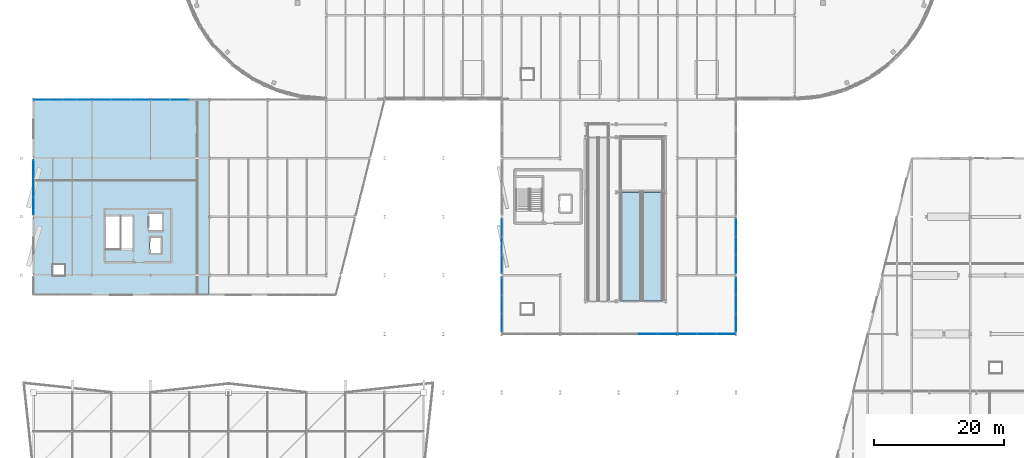
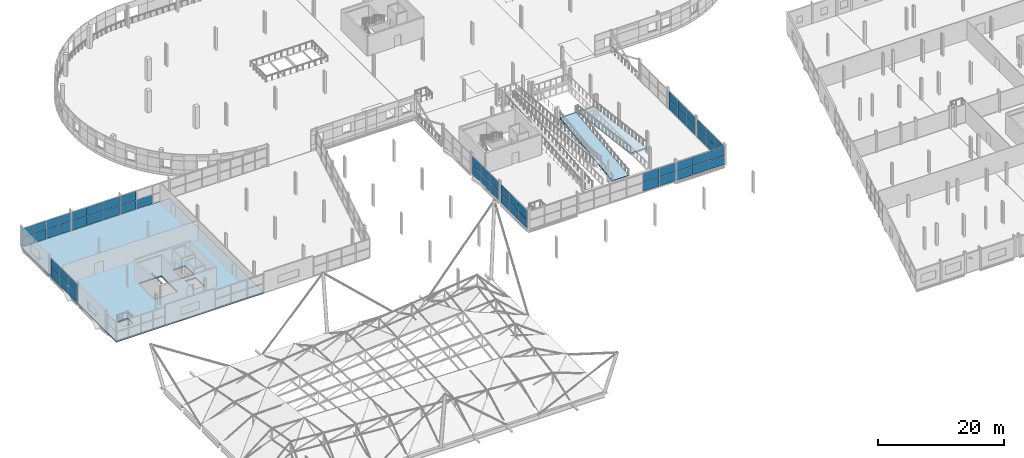
# One storey, part 101 of 132: 57 plates, 3 slabs, 10 elements without a shape of their own.
"""IFC4 building model written with IfcOpenShell, lengths in metres."""

from ifc_helpers import new_model, si_unit, direction, frame, origin, origin_2d, place, context, subcontext, project, spatial, polyline, rectangle, outline, extrude, material, layer, layer_set, type_object, element, aggregate, save


model = new_model("IFC4")

# Units and contexts
model_context = context("Model", 3, precision=1e-05, world=origin(), true_north=direction((0.0, 1.0)))
body_context = subcontext(model_context, "Body", "Model", "MODEL_VIEW")
ifc_project = project(units=[si_unit("LENGTHUNIT", "METRE"), si_unit("AREAUNIT", "SQUARE_METRE"), si_unit("VOLUMEUNIT", "CUBIC_METRE"), si_unit("PLANEANGLEUNIT", "RADIAN"), si_unit("MASSUNIT", "GRAM", prefix="KILO")], contexts=[model_context])

# Site, building, storey
site_placement = place(None, origin())
site = spatial("IfcSite", under=ifc_project, at=site_placement, CompositionType="ELEMENT")
building_placement = place(site_placement, origin())
building = spatial("IfcBuilding", under=site, at=building_placement, Name="Deido Ridge Mobility Hub", CompositionType="ELEMENT")
storey_placement = place(building_placement, frame((0.0, 0.0, 8.39990234375)))
storey = spatial("IfcBuildingStorey", under=building, at=storey_placement, Name="L02", CompositionType="ELEMENT", Elevation=8.39990234375)

# Curtain wall, plates
ifc_material_1 = material(Name="Anodised aluminium EN AW-6063 T6", Category="aluminium")
ifc_layer_1 = layer(ifc_material_1, 0.132080078125, Name="Anodised aluminium EN AW-6063 T6")
ifc_layer_set_1 = layer_set([ifc_layer_1], Name="Anodised aluminium EN AW-6063 T6")
curtain_wall_type_1 = type_object("IfcCurtainWallType", Name="CW-GS-1", PredefinedType="USERDEFINED", material=ifc_layer_set_1)
curtain_wall_1_placement = place(storey_placement, origin())
curtain_wall_1 = element("IfcCurtainWall", 1, at=curtain_wall_1_placement, inside=storey, type_object=curtain_wall_type_1, Name="Unitised curtain wall GS1", ObjectType="GLAZED SCREEN", PredefinedType="USERDEFINED")
ifc_material_2 = material(Name="Laminated solar-control low-E glass", Category="glass")
ifc_layer_2 = layer(ifc_material_2, 0.029052734375, Name="Laminated solar-control low-E glass")
ifc_layer_set_2 = layer_set([ifc_layer_2], Name="Laminated solar-control low-E glass")
plate_type_1 = type_object("IfcPlateType", Name="PLT-CWP-29", PredefinedType="CURTAIN_PANEL", material=ifc_layer_set_2)
plate_1_placement = place(storey_placement, frame((1.144287109375, 81.0, 0.05517578125), z_axis=(0.0, 0.0, 1.0), x_axis=(1.0, 0.0, 0.0)))
plate_1 = element("IfcPlate", 2, at=plate_1_placement, type_object=plate_type_1, Name="GS1 panel 1.1", PredefinedType="CURTAIN_PANEL", context=body_context, shape_type="SweptSolid", body=[
    extrude(rectangle(XDim=2.163818359375, YDim=0.029052734375, at=origin_2d()), origin(), (0.0, 0.0, 1.0), 1.717529296875),
])
plate_2_placement = place(storey_placement, frame((1.144287109375, 81.0, 1.82763671875), z_axis=(0.0, 0.0, 1.0), x_axis=(1.0, 0.0, 0.0)))
plate_2 = element("IfcPlate", 3, at=plate_2_placement, type_object=plate_type_1, Name="GS1 panel 1.2", PredefinedType="CURTAIN_PANEL", context=body_context, shape_type="SweptSolid", body=[
    extrude(rectangle(XDim=2.163818359375, YDim=0.029052734375, at=origin_2d()), origin(), (0.0, 0.0, 1.0), 1.717529296875),
])
plate_3_placement = place(storey_placement, frame((3.376708984375, 81.0, 0.05517578125), z_axis=(0.0, 0.0, 1.0), x_axis=(1.0, 0.0, 0.0)))
plate_3 = element("IfcPlate", 4, at=plate_3_placement, type_object=plate_type_1, Name="GS1 panel 2.1", PredefinedType="CURTAIN_PANEL", context=body_context, shape_type="SweptSolid", body=[
    extrude(rectangle(XDim=2.19140625, YDim=0.029052734375, at=origin_2d()), origin(), (0.0, 0.0, 1.0), 1.717529296875),
])
plate_4_placement = place(storey_placement, frame((3.376708984375, 81.0, 1.82763671875), z_axis=(0.0, 0.0, 1.0), x_axis=(1.0, 0.0, 0.0)))
plate_4 = element("IfcPlate", 5, at=plate_4_placement, type_object=plate_type_1, Name="GS1 panel 2.2", PredefinedType="CURTAIN_PANEL", context=body_context, shape_type="SweptSolid", body=[
    extrude(rectangle(XDim=2.19140625, YDim=0.029052734375, at=origin_2d()), origin(), (0.0, 0.0, 1.0), 1.717529296875),
])
plate_5_placement = place(storey_placement, frame((5.623291015625, 81.0, 0.05517578125), z_axis=(0.0, 0.0, 1.0), x_axis=(1.0, 0.0, 0.0)))
plate_5 = element("IfcPlate", 6, at=plate_5_placement, type_object=plate_type_1, Name="GS1 panel 3.1", PredefinedType="CURTAIN_PANEL", context=body_context, shape_type="SweptSolid", body=[
    extrude(rectangle(XDim=2.19140625, YDim=0.029052734375, at=origin_2d()), origin(), (0.0, 0.0, 1.0), 1.717529296875),
])
plate_6_placement = place(storey_placement, frame((5.623291015625, 81.0, 1.82763671875), z_axis=(0.0, 0.0, 1.0), x_axis=(1.0, 0.0, 0.0)))
plate_6 = element("IfcPlate", 7, at=plate_6_placement, type_object=plate_type_1, Name="GS1 panel 3.2", PredefinedType="CURTAIN_PANEL", context=body_context, shape_type="SweptSolid", body=[
    extrude(rectangle(XDim=2.19140625, YDim=0.029052734375, at=origin_2d()), origin(), (0.0, 0.0, 1.0), 1.717529296875),
])
plate_7_placement = place(storey_placement, frame((7.855712890625, 81.0, 0.05517578125), z_axis=(0.0, 0.0, 1.0), x_axis=(1.0, 0.0, 0.0)))
plate_7 = element("IfcPlate", 8, at=plate_7_placement, type_object=plate_type_1, Name="GS1 panel 4.1", PredefinedType="CURTAIN_PANEL", context=body_context, shape_type="SweptSolid", body=[
    extrude(rectangle(XDim=2.163818359375, YDim=0.029052734375, at=origin_2d()), origin(), (0.0, 0.0, 1.0), 1.717529296875),
])
plate_8_placement = place(storey_placement, frame((7.855712890625, 81.0, 1.82763671875), z_axis=(0.0, 0.0, 1.0), x_axis=(1.0, 0.0, 0.0)))
plate_8 = element("IfcPlate", 9, at=plate_8_placement, type_object=plate_type_1, Name="GS1 panel 4.2", PredefinedType="CURTAIN_PANEL", context=body_context, shape_type="SweptSolid", body=[
    extrude(rectangle(XDim=2.163818359375, YDim=0.029052734375, at=origin_2d()), origin(), (0.0, 0.0, 1.0), 1.717529296875),
])
aggregate(curtain_wall_1, [plate_1, plate_2, plate_3, plate_4, plate_5, plate_6, plate_7, plate_8])

ifc_layer_3 = layer(ifc_material_1, 0.14404296875, Name="Anodised aluminium EN AW-6063 T6")
ifc_layer_set_3 = layer_set([ifc_layer_3], Name="Anodised aluminium EN AW-6063 T6")
curtain_wall_type_2 = type_object("IfcCurtainWallType", Name="CW-GS-2", PredefinedType="USERDEFINED", material=ifc_layer_set_3)
curtain_wall_2_placement = place(storey_placement, origin())
curtain_wall_2 = element("IfcCurtainWall", 10, at=curtain_wall_2_placement, inside=storey, type_object=curtain_wall_type_2, Name="Unitised curtain wall GS2", ObjectType="GLAZED SCREEN", PredefinedType="USERDEFINED")
ifc_layer_4 = layer(ifc_material_2, 0.031005859375, Name="Laminated solar-control low-E glass")
ifc_layer_set_4 = layer_set([ifc_layer_4], Name="Laminated solar-control low-E glass")
plate_type_2 = type_object("IfcPlateType", Name="PLT-CWP-31", PredefinedType="CURTAIN_PANEL", material=ifc_layer_set_4)
plate_9_placement = place(storey_placement, frame((10.519775390625, 81.0, 0.06005859375), z_axis=(0.0, 0.0, 1.0), x_axis=(1.0, 0.0, 0.0)))
plate_9 = element("IfcPlate", 11, at=plate_9_placement, type_object=plate_type_2, Name="GS2 panel 1.1", PredefinedType="CURTAIN_PANEL", context=body_context, shape_type="SweptSolid", body=[
    extrude(rectangle(XDim=2.9052734375, YDim=0.031005859375, at=origin_2d()), origin(), (0.0, 0.0, 1.0), 1.7099609375),
])
plate_10_placement = place(storey_placement, frame((10.519775390625, 81.0, 1.830078125), z_axis=(0.0, 0.0, 1.0), x_axis=(1.0, 0.0, 0.0)))
plate_10 = element("IfcPlate", 12, at=plate_10_placement, type_object=plate_type_2, Name="GS2 panel 1.2", PredefinedType="CURTAIN_PANEL", context=body_context, shape_type="SweptSolid", body=[
    extrude(rectangle(XDim=2.9052734375, YDim=0.031005859375, at=origin_2d()), origin(), (0.0, 0.0, 1.0), 1.7099609375),
])
plate_11_placement = place(storey_placement, frame((13.5, 81.0, 0.06005859375), z_axis=(0.0, 0.0, 1.0), x_axis=(1.0, 0.0, 0.0)))
plate_11 = element("IfcPlate", 13, at=plate_11_placement, type_object=plate_type_2, Name="GS2 panel 2.1", PredefinedType="CURTAIN_PANEL", context=body_context, shape_type="SweptSolid", body=[
    extrude(rectangle(XDim=2.93505859375, YDim=0.031005859375, at=origin_2d()), origin(), (0.0, 0.0, 1.0), 1.7099609375),
])
plate_12_placement = place(storey_placement, frame((13.5, 81.0, 1.830078125), z_axis=(0.0, 0.0, 1.0), x_axis=(1.0, 0.0, 0.0)))
plate_12 = element("IfcPlate", 14, at=plate_12_placement, type_object=plate_type_2, Name="GS2 panel 2.2", PredefinedType="CURTAIN_PANEL", context=body_context, shape_type="SweptSolid", body=[
    extrude(rectangle(XDim=2.93505859375, YDim=0.031005859375, at=origin_2d()), origin(), (0.0, 0.0, 1.0), 1.7099609375),
])
plate_13_placement = place(storey_placement, frame((16.480224609375, 81.0, 0.06005859375), z_axis=(0.0, 0.0, 1.0), x_axis=(1.0, 0.0, 0.0)))
plate_13 = element("IfcPlate", 15, at=plate_13_placement, type_object=plate_type_2, Name="GS2 panel 3.1", PredefinedType="CURTAIN_PANEL", context=body_context, shape_type="SweptSolid", body=[
    extrude(rectangle(XDim=2.9052734375, YDim=0.031005859375, at=origin_2d()), origin(), (0.0, 0.0, 1.0), 1.7099609375),
])
plate_14_placement = place(storey_placement, frame((16.480224609375, 81.0, 1.830078125), z_axis=(0.0, 0.0, 1.0), x_axis=(1.0, 0.0, 0.0)))
plate_14 = element("IfcPlate", 16, at=plate_14_placement, type_object=plate_type_2, Name="GS2 panel 3.2", PredefinedType="CURTAIN_PANEL", context=body_context, shape_type="SweptSolid", body=[
    extrude(rectangle(XDim=2.9052734375, YDim=0.031005859375, at=origin_2d()), origin(), (0.0, 0.0, 1.0), 1.7099609375),
])
aggregate(curtain_wall_2, [plate_9, plate_10, plate_11, plate_12, plate_13, plate_14])

ifc_layer_5 = layer(ifc_material_1, 0.156005859375, Name="Anodised aluminium EN AW-6063 T6")
ifc_layer_set_5 = layer_set([ifc_layer_5], Name="Anodised aluminium EN AW-6063 T6")
curtain_wall_type_3 = type_object("IfcCurtainWallType", Name="CW-GS-3", PredefinedType="USERDEFINED", material=ifc_layer_set_5)
curtain_wall_3_placement = place(storey_placement, origin())
curtain_wall_3 = element("IfcCurtainWall", 17, at=curtain_wall_3_placement, inside=storey, type_object=curtain_wall_type_3, Name="Unitised curtain wall GS3", ObjectType="GLAZED SCREEN", PredefinedType="USERDEFINED")
ifc_layer_6 = layer(ifc_material_2, 0.032958984375, Name="Laminated solar-control low-E glass")
ifc_layer_set_6 = layer_set([ifc_layer_6], Name="Laminated solar-control low-E glass")
plate_type_3 = type_object("IfcPlateType", Name="PLT-CWP-33", PredefinedType="CURTAIN_PANEL", material=ifc_layer_set_6)
plate_15_placement = place(storey_placement, frame((19.52099609375, 81.0, 0.06494140625), z_axis=(0.0, 0.0, 1.0), x_axis=(1.0, 0.0, 0.0)))
plate_15 = element("IfcPlate", 18, at=plate_15_placement, type_object=plate_type_3, Name="GS3 panel 1.1", PredefinedType="CURTAIN_PANEL", context=body_context, shape_type="SweptSolid", body=[
    extrude(rectangle(XDim=2.897705078125, YDim=0.032958984375, at=origin_2d()), origin(), (0.0, 0.0, 1.0), 1.702392578125),
])
plate_16_placement = place(storey_placement, frame((19.52099609375, 81.0, 1.83251953125), z_axis=(0.0, 0.0, 1.0), x_axis=(1.0, 0.0, 0.0)))
plate_16 = element("IfcPlate", 19, at=plate_16_placement, type_object=plate_type_3, Name="GS3 panel 1.2", PredefinedType="CURTAIN_PANEL", context=body_context, shape_type="SweptSolid", body=[
    extrude(rectangle(XDim=2.897705078125, YDim=0.032958984375, at=origin_2d()), origin(), (0.0, 0.0, 1.0), 1.702392578125),
])
plate_17_placement = place(storey_placement, frame((22.5, 81.0, 0.06494140625), z_axis=(0.0, 0.0, 1.0), x_axis=(1.0, 0.0, 0.0)))
plate_17 = element("IfcPlate", 20, at=plate_17_placement, type_object=plate_type_3, Name="GS3 panel 2.1", PredefinedType="CURTAIN_PANEL", context=body_context, shape_type="SweptSolid", body=[
    extrude(rectangle(XDim=2.93017578125, YDim=0.032958984375, at=origin_2d()), origin(), (0.0, 0.0, 1.0), 1.702392578125),
])
aggregate(curtain_wall_3, [plate_15, plate_16, plate_17])

ifc_layer_7 = layer(ifc_material_1, 0.16796875, Name="Anodised aluminium EN AW-6063 T6")
ifc_layer_set_7 = layer_set([ifc_layer_7], Name="Anodised aluminium EN AW-6063 T6")
curtain_wall_type_4 = type_object("IfcCurtainWallType", Name="CW-GS-4", PredefinedType="USERDEFINED", material=ifc_layer_set_7)
curtain_wall_4_placement = place(storey_placement, origin())
curtain_wall_4 = element("IfcCurtainWall", 21, at=curtain_wall_4_placement, inside=storey, type_object=curtain_wall_type_4, Name="Unitised curtain wall GS4", ObjectType="GLAZED SCREEN", PredefinedType="USERDEFINED")
plate_18_placement = place(storey_placement, frame((94.496337890625, 45.0, 0.06494140625), z_axis=(0.0, 0.0, 1.0), x_axis=(1.0, 0.0, 0.0)))
plate_18 = element("IfcPlate", 22, at=plate_18_placement, type_object=plate_type_3, Name="GS4 panel 5.1", PredefinedType="CURTAIN_PANEL", context=body_context, shape_type="SweptSolid", body=[
    extrude(rectangle(XDim=2.9326171875, YDim=0.032958984375, at=origin_2d()), origin(), (0.0, 0.0, 1.0), 1.702392578125),
])
plate_19_placement = place(storey_placement, frame((94.496337890625, 45.0, 1.83251953125), z_axis=(0.0, 0.0, 1.0), x_axis=(1.0, 0.0, 0.0)))
plate_19 = element("IfcPlate", 23, at=plate_19_placement, type_object=plate_type_3, Name="GS4 panel 5.2", PredefinedType="CURTAIN_PANEL", context=body_context, shape_type="SweptSolid", body=[
    extrude(rectangle(XDim=2.9326171875, YDim=0.032958984375, at=origin_2d()), origin(), (0.0, 0.0, 1.0), 1.702392578125),
])
plate_20_placement = place(storey_placement, frame((97.477783203125, 45.0, 0.06494140625), z_axis=(0.0, 0.0, 1.0), x_axis=(1.0, 0.0, 0.0)))
plate_20 = element("IfcPlate", 24, at=plate_20_placement, type_object=plate_type_3, Name="GS4 panel 6.1", PredefinedType="CURTAIN_PANEL", context=body_context, shape_type="SweptSolid", body=[
    extrude(rectangle(XDim=2.900146484375, YDim=0.032958984375, at=origin_2d()), origin(), (0.0, 0.0, 1.0), 1.702392578125),
])
plate_21_placement = place(storey_placement, frame((97.477783203125, 45.0, 1.83251953125), z_axis=(0.0, 0.0, 1.0), x_axis=(1.0, 0.0, 0.0)))
plate_21 = element("IfcPlate", 25, at=plate_21_placement, type_object=plate_type_3, Name="GS4 panel 6.2", PredefinedType="CURTAIN_PANEL", context=body_context, shape_type="SweptSolid", body=[
    extrude(rectangle(XDim=2.900146484375, YDim=0.032958984375, at=origin_2d()), origin(), (0.0, 0.0, 1.0), 1.702392578125),
])
aggregate(curtain_wall_4, [plate_18, plate_19, plate_20, plate_21])

curtain_wall_5_placement = place(storey_placement, origin())
curtain_wall_5 = element("IfcCurtainWall", 26, at=curtain_wall_5_placement, inside=storey, type_object=curtain_wall_type_4, Name="Unitised curtain wall GS4", ObjectType="GLAZED SCREEN", PredefinedType="USERDEFINED")
plate_22_placement = place(storey_placement, frame((100.52099609375, 45.0, 0.06494140625), z_axis=(0.0, 0.0, 1.0), x_axis=(1.0, 0.0, 0.0)))
plate_22 = element("IfcPlate", 27, at=plate_22_placement, type_object=plate_type_3, Name="GS4 panel 1.1", PredefinedType="CURTAIN_PANEL", context=body_context, shape_type="SweptSolid", body=[
    extrude(rectangle(XDim=2.897705078125, YDim=0.032958984375, at=origin_2d()), origin(), (0.0, 0.0, 1.0), 1.702392578125),
])
plate_23_placement = place(storey_placement, frame((100.52099609375, 45.0, 1.83251953125), z_axis=(0.0, 0.0, 1.0), x_axis=(1.0, 0.0, 0.0)))
plate_23 = element("IfcPlate", 28, at=plate_23_placement, type_object=plate_type_3, Name="GS4 panel 1.2", PredefinedType="CURTAIN_PANEL", context=body_context, shape_type="SweptSolid", body=[
    extrude(rectangle(XDim=2.897705078125, YDim=0.032958984375, at=origin_2d()), origin(), (0.0, 0.0, 1.0), 1.702392578125),
])
plate_24_placement = place(storey_placement, frame((103.5, 45.0, 0.06494140625), z_axis=(0.0, 0.0, 1.0), x_axis=(1.0, 0.0, 0.0)))
plate_24 = element("IfcPlate", 29, at=plate_24_placement, type_object=plate_type_3, Name="GS4 panel 2.1", PredefinedType="CURTAIN_PANEL", context=body_context, shape_type="SweptSolid", body=[
    extrude(rectangle(XDim=2.93017578125, YDim=0.032958984375, at=origin_2d()), origin(), (0.0, 0.0, 1.0), 1.702392578125),
])
plate_25_placement = place(storey_placement, frame((103.5, 45.0, 1.83251953125), z_axis=(0.0, 0.0, 1.0), x_axis=(1.0, 0.0, 0.0)))
plate_25 = element("IfcPlate", 30, at=plate_25_placement, type_object=plate_type_3, Name="GS4 panel 2.2", PredefinedType="CURTAIN_PANEL", context=body_context, shape_type="SweptSolid", body=[
    extrude(rectangle(XDim=2.93017578125, YDim=0.032958984375, at=origin_2d()), origin(), (0.0, 0.0, 1.0), 1.702392578125),
])
plate_26_placement = place(storey_placement, frame((106.47900390625, 45.0, 0.06494140625), z_axis=(0.0, 0.0, 1.0), x_axis=(1.0, 0.0, 0.0)))
plate_26 = element("IfcPlate", 31, at=plate_26_placement, type_object=plate_type_3, Name="GS4 panel 3.1", PredefinedType="CURTAIN_PANEL", context=body_context, shape_type="SweptSolid", body=[
    extrude(rectangle(XDim=2.897705078125, YDim=0.032958984375, at=origin_2d()), origin(), (0.0, 0.0, 1.0), 1.702392578125),
])
plate_27_placement = place(storey_placement, frame((106.47900390625, 45.0, 1.83251953125), z_axis=(0.0, 0.0, 1.0), x_axis=(1.0, 0.0, 0.0)))
plate_27 = element("IfcPlate", 32, at=plate_27_placement, type_object=plate_type_3, Name="GS4 panel 3.2", PredefinedType="CURTAIN_PANEL", context=body_context, shape_type="SweptSolid", body=[
    extrude(rectangle(XDim=2.897705078125, YDim=0.032958984375, at=origin_2d()), origin(), (0.0, 0.0, 1.0), 1.702392578125),
])
aggregate(curtain_wall_5, [plate_22, plate_23, plate_24, plate_25, plate_26, plate_27])

ifc_layer_8 = layer(ifc_material_1, 0.22509765625, Name="Anodised aluminium EN AW-6063 T6")
ifc_layer_set_8 = layer_set([ifc_layer_8], Name="Anodised aluminium EN AW-6063 T6")
curtain_wall_type_5 = type_object("IfcCurtainWallType", Name="CW-UF-5", PredefinedType="USERDEFINED", material=ifc_layer_set_8)
curtain_wall_6_placement = place(storey_placement, origin())
curtain_wall_6 = element("IfcCurtainWall", 33, at=curtain_wall_6_placement, inside=storey, type_object=curtain_wall_type_5, Name="Unitised curtain wall CW5", ObjectType="UNITISED FACADE", PredefinedType="USERDEFINED")
ifc_layer_9 = layer(ifc_material_2, 0.034912109375, Name="Laminated solar-control low-E glass")
ifc_layer_set_9 = layer_set([ifc_layer_9], Name="Laminated solar-control low-E glass")
plate_type_4 = type_object("IfcPlateType", Name="PLT-CWP-35", PredefinedType="CURTAIN_PANEL", material=ifc_layer_set_9)
plate_28_placement = place(storey_placement, frame((0.0, 64.68408203125, 0.06982421875), z_axis=(0.0, 0.0, 1.0), x_axis=(0.0, 1.0, 0.0)))
plate_28 = element("IfcPlate", 34, at=plate_28_placement, type_object=plate_type_4, Name="CW5 panel 1.1", PredefinedType="CURTAIN_PANEL", context=body_context, shape_type="SweptSolid", body=[
    extrude(rectangle(XDim=2.728271484375, YDim=0.034912109375, at=origin_2d()), origin(), (0.0, 0.0, 1.0), 1.695068359375),
])
plate_29_placement = place(storey_placement, frame((0.0, 64.68408203125, 1.8349609375), z_axis=(0.0, 0.0, 1.0), x_axis=(0.0, 1.0, 0.0)))
plate_29 = element("IfcPlate", 35, at=plate_29_placement, type_object=plate_type_4, Name="CW5 panel 1.2", PredefinedType="CURTAIN_PANEL", context=body_context, shape_type="SweptSolid", body=[
    extrude(rectangle(XDim=2.728271484375, YDim=0.034912109375, at=origin_2d()), origin(), (0.0, 0.0, 1.0), 1.695068359375),
])
plate_30_placement = place(storey_placement, frame((0.0, 67.5, 0.06982421875), z_axis=(0.0, 0.0, 1.0), x_axis=(0.0, 1.0, 0.0)))
plate_30 = element("IfcPlate", 36, at=plate_30_placement, type_object=plate_type_4, Name="CW5 panel 2.1", PredefinedType="CURTAIN_PANEL", context=body_context, shape_type="SweptSolid", body=[
    extrude(rectangle(XDim=2.763427734375, YDim=0.034912109375, at=origin_2d()), origin(), (0.0, 0.0, 1.0), 1.695068359375),
])
plate_31_placement = place(storey_placement, frame((0.0, 67.5, 1.8349609375), z_axis=(0.0, 0.0, 1.0), x_axis=(0.0, 1.0, 0.0)))
plate_31 = element("IfcPlate", 37, at=plate_31_placement, type_object=plate_type_4, Name="CW5 panel 2.2", PredefinedType="CURTAIN_PANEL", context=body_context, shape_type="SweptSolid", body=[
    extrude(rectangle(XDim=2.763427734375, YDim=0.034912109375, at=origin_2d()), origin(), (0.0, 0.0, 1.0), 1.695068359375),
])
plate_32_placement = place(storey_placement, frame((0.0, 70.31591796875, 0.06982421875), z_axis=(0.0, 0.0, 1.0), x_axis=(0.0, 1.0, 0.0)))
plate_32 = element("IfcPlate", 38, at=plate_32_placement, type_object=plate_type_4, Name="CW5 panel 3.1", PredefinedType="CURTAIN_PANEL", context=body_context, shape_type="SweptSolid", body=[
    extrude(rectangle(XDim=2.728271484375, YDim=0.034912109375, at=origin_2d()), origin(), (0.0, 0.0, 1.0), 1.695068359375),
])
plate_33_placement = place(storey_placement, frame((0.0, 70.31591796875, 1.8349609375), z_axis=(0.0, 0.0, 1.0), x_axis=(0.0, 1.0, 0.0)))
plate_33 = element("IfcPlate", 39, at=plate_33_placement, type_object=plate_type_4, Name="CW5 panel 3.2", PredefinedType="CURTAIN_PANEL", context=body_context, shape_type="SweptSolid", body=[
    extrude(rectangle(XDim=2.728271484375, YDim=0.034912109375, at=origin_2d()), origin(), (0.0, 0.0, 1.0), 1.695068359375),
])
aggregate(curtain_wall_6, [plate_28, plate_29, plate_30, plate_31, plate_32, plate_33])

ifc_layer_10 = layer(ifc_material_1, 0.195068359375, Name="Anodised aluminium EN AW-6063 T6")
ifc_layer_set_10 = layer_set([ifc_layer_10], Name="Anodised aluminium EN AW-6063 T6")
curtain_wall_type_6 = type_object("IfcCurtainWallType", Name="CW-UF-3", PredefinedType="USERDEFINED", material=ifc_layer_set_10)
curtain_wall_7_placement = place(storey_placement, origin())
curtain_wall_7 = element("IfcCurtainWall", 40, at=curtain_wall_7_placement, inside=storey, type_object=curtain_wall_type_6, Name="Unitised curtain wall CW3", ObjectType="UNITISED FACADE", PredefinedType="USERDEFINED")
plate_34_placement = place(storey_placement, frame((72.0, 46.68408203125, 0.06982421875), z_axis=(0.0, 0.0, 1.0), x_axis=(0.0, 1.0, 0.0)))
plate_34 = element("IfcPlate", 41, at=plate_34_placement, type_object=plate_type_4, Name="CW3 panel 1.1", PredefinedType="CURTAIN_PANEL", context=body_context, shape_type="SweptSolid", body=[
    extrude(rectangle(XDim=2.728271484375, YDim=0.034912109375, at=origin_2d()), origin(), (0.0, 0.0, 1.0), 1.695068359375),
])
plate_35_placement = place(storey_placement, frame((72.0, 46.68408203125, 1.8349609375), z_axis=(0.0, 0.0, 1.0), x_axis=(0.0, 1.0, 0.0)))
plate_35 = element("IfcPlate", 42, at=plate_35_placement, type_object=plate_type_4, Name="CW3 panel 1.2", PredefinedType="CURTAIN_PANEL", context=body_context, shape_type="SweptSolid", body=[
    extrude(rectangle(XDim=2.728271484375, YDim=0.034912109375, at=origin_2d()), origin(), (0.0, 0.0, 1.0), 1.695068359375),
])
plate_36_placement = place(storey_placement, frame((72.0, 49.5, 0.06982421875), z_axis=(0.0, 0.0, 1.0), x_axis=(0.0, 1.0, 0.0)))
plate_36 = element("IfcPlate", 43, at=plate_36_placement, type_object=plate_type_4, Name="CW3 panel 2.1", PredefinedType="CURTAIN_PANEL", context=body_context, shape_type="SweptSolid", body=[
    extrude(rectangle(XDim=2.763427734375, YDim=0.034912109375, at=origin_2d()), origin(), (0.0, 0.0, 1.0), 1.695068359375),
])
plate_37_placement = place(storey_placement, frame((72.0, 49.5, 1.8349609375), z_axis=(0.0, 0.0, 1.0), x_axis=(0.0, 1.0, 0.0)))
plate_37 = element("IfcPlate", 44, at=plate_37_placement, type_object=plate_type_4, Name="CW3 panel 2.2", PredefinedType="CURTAIN_PANEL", context=body_context, shape_type="SweptSolid", body=[
    extrude(rectangle(XDim=2.763427734375, YDim=0.034912109375, at=origin_2d()), origin(), (0.0, 0.0, 1.0), 1.695068359375),
])
plate_38_placement = place(storey_placement, frame((72.0, 52.31591796875, 0.06982421875), z_axis=(0.0, 0.0, 1.0), x_axis=(0.0, 1.0, 0.0)))
plate_38 = element("IfcPlate", 45, at=plate_38_placement, type_object=plate_type_4, Name="CW3 panel 3.1", PredefinedType="CURTAIN_PANEL", context=body_context, shape_type="SweptSolid", body=[
    extrude(rectangle(XDim=2.728271484375, YDim=0.034912109375, at=origin_2d()), origin(), (0.0, 0.0, 1.0), 1.695068359375),
])
plate_39_placement = place(storey_placement, frame((72.0, 52.31591796875, 1.8349609375), z_axis=(0.0, 0.0, 1.0), x_axis=(0.0, 1.0, 0.0)))
plate_39 = element("IfcPlate", 46, at=plate_39_placement, type_object=plate_type_4, Name="CW3 panel 3.2", PredefinedType="CURTAIN_PANEL", context=body_context, shape_type="SweptSolid", body=[
    extrude(rectangle(XDim=2.728271484375, YDim=0.034912109375, at=origin_2d()), origin(), (0.0, 0.0, 1.0), 1.695068359375),
])
aggregate(curtain_wall_7, [plate_34, plate_35, plate_36, plate_37, plate_38, plate_39])

curtain_wall_8_placement = place(storey_placement, origin())
curtain_wall_8 = element("IfcCurtainWall", 47, at=curtain_wall_8_placement, inside=storey, type_object=curtain_wall_type_6, Name="Unitised curtain wall CW3", ObjectType="UNITISED FACADE", PredefinedType="USERDEFINED")
plate_40_placement = place(storey_placement, frame((72.0, 55.68408203125, 0.06982421875), z_axis=(0.0, 0.0, 1.0), x_axis=(0.0, 1.0, 0.0)))
plate_40 = element("IfcPlate", 48, at=plate_40_placement, type_object=plate_type_4, Name="CW3 panel 1.1", PredefinedType="CURTAIN_PANEL", context=body_context, shape_type="SweptSolid", body=[
    extrude(rectangle(XDim=2.728271484375, YDim=0.034912109375, at=origin_2d()), origin(), (0.0, 0.0, 1.0), 1.695068359375),
])
plate_41_placement = place(storey_placement, frame((72.0, 55.68408203125, 1.8349609375), z_axis=(0.0, 0.0, 1.0), x_axis=(0.0, 1.0, 0.0)))
plate_41 = element("IfcPlate", 49, at=plate_41_placement, type_object=plate_type_4, Name="CW3 panel 1.2", PredefinedType="CURTAIN_PANEL", context=body_context, shape_type="SweptSolid", body=[
    extrude(rectangle(XDim=2.728271484375, YDim=0.034912109375, at=origin_2d()), origin(), (0.0, 0.0, 1.0), 1.695068359375),
])
plate_42_placement = place(storey_placement, frame((72.0, 58.5, 0.06982421875), z_axis=(0.0, 0.0, 1.0), x_axis=(0.0, 1.0, 0.0)))
plate_42 = element("IfcPlate", 50, at=plate_42_placement, type_object=plate_type_4, Name="CW3 panel 2.1", PredefinedType="CURTAIN_PANEL", context=body_context, shape_type="SweptSolid", body=[
    extrude(rectangle(XDim=2.763427734375, YDim=0.034912109375, at=origin_2d()), origin(), (0.0, 0.0, 1.0), 1.695068359375),
])
plate_43_placement = place(storey_placement, frame((72.0, 58.5, 1.8349609375), z_axis=(0.0, 0.0, 1.0), x_axis=(0.0, 1.0, 0.0)))
plate_43 = element("IfcPlate", 51, at=plate_43_placement, type_object=plate_type_4, Name="CW3 panel 2.2", PredefinedType="CURTAIN_PANEL", context=body_context, shape_type="SweptSolid", body=[
    extrude(rectangle(XDim=2.763427734375, YDim=0.034912109375, at=origin_2d()), origin(), (0.0, 0.0, 1.0), 1.695068359375),
])
plate_44_placement = place(storey_placement, frame((72.0, 61.31591796875, 0.06982421875), z_axis=(0.0, 0.0, 1.0), x_axis=(0.0, 1.0, 0.0)))
plate_44 = element("IfcPlate", 52, at=plate_44_placement, type_object=plate_type_4, Name="CW3 panel 3.1", PredefinedType="CURTAIN_PANEL", context=body_context, shape_type="SweptSolid", body=[
    extrude(rectangle(XDim=2.728271484375, YDim=0.034912109375, at=origin_2d()), origin(), (0.0, 0.0, 1.0), 1.695068359375),
])
plate_45_placement = place(storey_placement, frame((72.0, 61.31591796875, 1.8349609375), z_axis=(0.0, 0.0, 1.0), x_axis=(0.0, 1.0, 0.0)))
plate_45 = element("IfcPlate", 53, at=plate_45_placement, type_object=plate_type_4, Name="CW3 panel 3.2", PredefinedType="CURTAIN_PANEL", context=body_context, shape_type="SweptSolid", body=[
    extrude(rectangle(XDim=2.728271484375, YDim=0.034912109375, at=origin_2d()), origin(), (0.0, 0.0, 1.0), 1.695068359375),
])
aggregate(curtain_wall_8, [plate_40, plate_41, plate_42, plate_43, plate_44, plate_45])

ifc_layer_11 = layer(ifc_material_1, 0.239990234375, Name="Anodised aluminium EN AW-6063 T6")
ifc_layer_set_11 = layer_set([ifc_layer_11], Name="Anodised aluminium EN AW-6063 T6")
curtain_wall_type_7 = type_object("IfcCurtainWallType", Name="CW-UF-6", PredefinedType="USERDEFINED", material=ifc_layer_set_11)
curtain_wall_9_placement = place(storey_placement, origin())
curtain_wall_9 = element("IfcCurtainWall", 54, at=curtain_wall_9_placement, inside=storey, type_object=curtain_wall_type_7, Name="Unitised curtain wall CW6", ObjectType="UNITISED FACADE", PredefinedType="USERDEFINED")
ifc_layer_12 = layer(ifc_material_2, 0.041015625, Name="Laminated solar-control low-E glass")
ifc_layer_set_12 = layer_set([ifc_layer_12], Name="Laminated solar-control low-E glass")
plate_type_5 = type_object("IfcPlateType", Name="PLT-CWP-41", PredefinedType="CURTAIN_PANEL", material=ifc_layer_set_12)
plate_46_placement = place(storey_placement, frame((108.0, 46.68798828125, 0.0849609375), z_axis=(0.0, 0.0, 1.0), x_axis=(0.0, 1.0, 0.0)))
plate_46 = element("IfcPlate", 55, at=plate_46_placement, type_object=plate_type_5, Name="CW6 panel 1.1", PredefinedType="CURTAIN_PANEL", context=body_context, shape_type="SweptSolid", body=[
    extrude(rectangle(XDim=2.705810546875, YDim=0.041015625, at=origin_2d()), origin(), (0.0, 0.0, 1.0), 1.672607421875),
])
plate_47_placement = place(storey_placement, frame((108.0, 46.68798828125, 1.8427734375), z_axis=(0.0, 0.0, 1.0), x_axis=(0.0, 1.0, 0.0)))
plate_47 = element("IfcPlate", 56, at=plate_47_placement, type_object=plate_type_5, Name="CW6 panel 1.2", PredefinedType="CURTAIN_PANEL", context=body_context, shape_type="SweptSolid", body=[
    extrude(rectangle(XDim=2.705810546875, YDim=0.041015625, at=origin_2d()), origin(), (0.0, 0.0, 1.0), 1.672607421875),
])
plate_48_placement = place(storey_placement, frame((108.0, 49.5, 0.0849609375), z_axis=(0.0, 0.0, 1.0), x_axis=(0.0, 1.0, 0.0)))
plate_48 = element("IfcPlate", 57, at=plate_48_placement, type_object=plate_type_5, Name="CW6 panel 2.1", PredefinedType="CURTAIN_PANEL", context=body_context, shape_type="SweptSolid", body=[
    extrude(rectangle(XDim=2.748291015625, YDim=0.041015625, at=origin_2d()), origin(), (0.0, 0.0, 1.0), 1.672607421875),
])
plate_49_placement = place(storey_placement, frame((108.0, 49.5, 1.8427734375), z_axis=(0.0, 0.0, 1.0), x_axis=(0.0, 1.0, 0.0)))
plate_49 = element("IfcPlate", 58, at=plate_49_placement, type_object=plate_type_5, Name="CW6 panel 2.2", PredefinedType="CURTAIN_PANEL", context=body_context, shape_type="SweptSolid", body=[
    extrude(rectangle(XDim=2.748291015625, YDim=0.041015625, at=origin_2d()), origin(), (0.0, 0.0, 1.0), 1.672607421875),
])
plate_50_placement = place(storey_placement, frame((108.0, 52.31201171875, 0.0849609375), z_axis=(0.0, 0.0, 1.0), x_axis=(0.0, 1.0, 0.0)))
plate_50 = element("IfcPlate", 59, at=plate_50_placement, type_object=plate_type_5, Name="CW6 panel 3.1", PredefinedType="CURTAIN_PANEL", context=body_context, shape_type="SweptSolid", body=[
    extrude(rectangle(XDim=2.705810546875, YDim=0.041015625, at=origin_2d()), origin(), (0.0, 0.0, 1.0), 1.672607421875),
])
plate_51_placement = place(storey_placement, frame((108.0, 52.31201171875, 1.8427734375), z_axis=(0.0, 0.0, 1.0), x_axis=(0.0, 1.0, 0.0)))
plate_51 = element("IfcPlate", 60, at=plate_51_placement, type_object=plate_type_5, Name="CW6 panel 3.2", PredefinedType="CURTAIN_PANEL", context=body_context, shape_type="SweptSolid", body=[
    extrude(rectangle(XDim=2.705810546875, YDim=0.041015625, at=origin_2d()), origin(), (0.0, 0.0, 1.0), 1.672607421875),
])
aggregate(curtain_wall_9, [plate_46, plate_47, plate_48, plate_49, plate_50, plate_51])

curtain_wall_10_placement = place(storey_placement, origin())
curtain_wall_10 = element("IfcCurtainWall", 61, at=curtain_wall_10_placement, inside=storey, type_object=curtain_wall_type_7, Name="Unitised curtain wall CW6", ObjectType="UNITISED FACADE", PredefinedType="USERDEFINED")
plate_52_placement = place(storey_placement, frame((108.0, 55.68798828125, 0.0849609375), z_axis=(0.0, 0.0, 1.0), x_axis=(0.0, 1.0, 0.0)))
plate_52 = element("IfcPlate", 62, at=plate_52_placement, type_object=plate_type_5, Name="CW6 panel 1.1", PredefinedType="CURTAIN_PANEL", context=body_context, shape_type="SweptSolid", body=[
    extrude(rectangle(XDim=2.705810546875, YDim=0.041015625, at=origin_2d()), origin(), (0.0, 0.0, 1.0), 1.672607421875),
])
plate_53_placement = place(storey_placement, frame((108.0, 55.68798828125, 1.8427734375), z_axis=(0.0, 0.0, 1.0), x_axis=(0.0, 1.0, 0.0)))
plate_53 = element("IfcPlate", 63, at=plate_53_placement, type_object=plate_type_5, Name="CW6 panel 1.2", PredefinedType="CURTAIN_PANEL", context=body_context, shape_type="SweptSolid", body=[
    extrude(rectangle(XDim=2.705810546875, YDim=0.041015625, at=origin_2d()), origin(), (0.0, 0.0, 1.0), 1.672607421875),
])
plate_54_placement = place(storey_placement, frame((108.0, 58.5, 0.0849609375), z_axis=(0.0, 0.0, 1.0), x_axis=(0.0, 1.0, 0.0)))
plate_54 = element("IfcPlate", 64, at=plate_54_placement, type_object=plate_type_5, Name="CW6 panel 2.1", PredefinedType="CURTAIN_PANEL", context=body_context, shape_type="SweptSolid", body=[
    extrude(rectangle(XDim=2.748291015625, YDim=0.041015625, at=origin_2d()), origin(), (0.0, 0.0, 1.0), 1.672607421875),
])
plate_55_placement = place(storey_placement, frame((108.0, 58.5, 1.8427734375), z_axis=(0.0, 0.0, 1.0), x_axis=(0.0, 1.0, 0.0)))
plate_55 = element("IfcPlate", 65, at=plate_55_placement, type_object=plate_type_5, Name="CW6 panel 2.2", PredefinedType="CURTAIN_PANEL", context=body_context, shape_type="SweptSolid", body=[
    extrude(rectangle(XDim=2.748291015625, YDim=0.041015625, at=origin_2d()), origin(), (0.0, 0.0, 1.0), 1.672607421875),
])
plate_56_placement = place(storey_placement, frame((108.0, 61.31201171875, 0.0849609375), z_axis=(0.0, 0.0, 1.0), x_axis=(0.0, 1.0, 0.0)))
plate_56 = element("IfcPlate", 66, at=plate_56_placement, type_object=plate_type_5, Name="CW6 panel 3.1", PredefinedType="CURTAIN_PANEL", context=body_context, shape_type="SweptSolid", body=[
    extrude(rectangle(XDim=2.705810546875, YDim=0.041015625, at=origin_2d()), origin(), (0.0, 0.0, 1.0), 1.672607421875),
])
plate_57_placement = place(storey_placement, frame((108.0, 61.31201171875, 1.8427734375), z_axis=(0.0, 0.0, 1.0), x_axis=(0.0, 1.0, 0.0)))
plate_57 = element("IfcPlate", 67, at=plate_57_placement, type_object=plate_type_5, Name="CW6 panel 3.2", PredefinedType="CURTAIN_PANEL", context=body_context, shape_type="SweptSolid", body=[
    extrude(rectangle(XDim=2.705810546875, YDim=0.041015625, at=origin_2d()), origin(), (0.0, 0.0, 1.0), 1.672607421875),
])
aggregate(curtain_wall_10, [plate_52, plate_53, plate_54, plate_55, plate_56, plate_57])

# Slabs
ifc_material_3 = material(Name="Concrete C35/45", Category="concrete")
ifc_layer_13 = layer(ifc_material_3, 0.2548828125, Name="Concrete C35/45")
ifc_layer_set_13 = layer_set([ifc_layer_13], Name="Concrete C35/45")
slab_type_1 = type_object("IfcSlabType", Name="SLB-FLR-255", PredefinedType="FLOOR", material=ifc_layer_set_13)
slab_1_placement = place(storey_placement, frame((0.0, 0.0, -0.2548828125)))
element("IfcSlab", 68, at=slab_1_placement, inside=storey, type_object=slab_type_1, Name="L02 V5 structural deck 35", PredefinedType="FLOOR", context=body_context, shape_type="SweptSolid", body=[
    extrude(outline(polyline([(0.0, 81.0), (27.0, 81.0), (27.0, 51.0), (0.0, 51.0), (0.0, 81.0)]), holes=[polyline([(3.0, 54.0), (3.0, 55.60009765625), (4.800048828125, 55.60009765625), (4.800048828125, 54.0), (3.0, 54.0)]), polyline([(17.85009765625, 57.25), (17.85009765625, 59.949951171875), (19.75, 59.949951171875), (19.75, 57.25), (17.85009765625, 57.25)]), polyline([(11.139892578125, 58.0), (11.139892578125, 63.10009765625), (15.239990234375, 63.10009765625), (15.239990234375, 58.0), (11.139892578125, 58.0)]), polyline([(17.64990234375, 60.75), (17.64990234375, 63.64990234375), (19.949951171875, 63.64990234375), (19.949951171875, 60.75), (17.64990234375, 60.75)])]), origin(), (0.0, 0.0, 1.0), 0.2548828125),
])
ifc_layer_14 = layer(ifc_material_3, 0.280029296875, Name="Concrete C35/45")
ifc_layer_set_14 = layer_set([ifc_layer_14], Name="Concrete C35/45")
slab_type_2 = type_object("IfcSlabType", Name="SLB-RMP-280", PredefinedType="FLOOR", material=ifc_layer_set_14)
slab_2_placement = place(storey_placement, frame((90.35009765625, 50.050048828125, 0.0), z_axis=(0.0, -0.124772000601, 0.992185440261), x_axis=(1.0, 0.0, 0.0)))
element("IfcSlab", 69, at=slab_2_placement, inside=storey, type_object=slab_type_2, Name="Vehicle ramp structural slab VR1 L02-1", PredefinedType="FLOOR", context=body_context, shape_type="SweptSolid", body=[
    extrude(outline(polyline([(0.0, 0.0), (3.0, 0.0), (3.0, 16.831481791832708), (0.0, 16.831481791832708), (0.0, 0.0)])), origin(), (0.0, 0.0, -1.0), 0.280029296875),
])
slab_3_placement = place(storey_placement, frame((93.64990234375, 66.75, 2.10009765625), z_axis=(0.0, 0.124772000601, 0.992185440261), x_axis=(1.0, 0.0, 0.0)))
element("IfcSlab", 70, at=slab_3_placement, inside=storey, type_object=slab_type_2, Name="Vehicle ramp structural slab VR1 L02-2", PredefinedType="FLOOR", context=body_context, shape_type="SweptSolid", body=[
    extrude(outline(polyline([(0.0, 0.0), (3.0, 0.0), (3.0, -16.831481791832708), (0.0, -16.831481791832708), (0.0, 0.0)])), origin(), (0.0, 0.0, -1.0), 0.280029296875),
])

save(model, "model.ifc")
